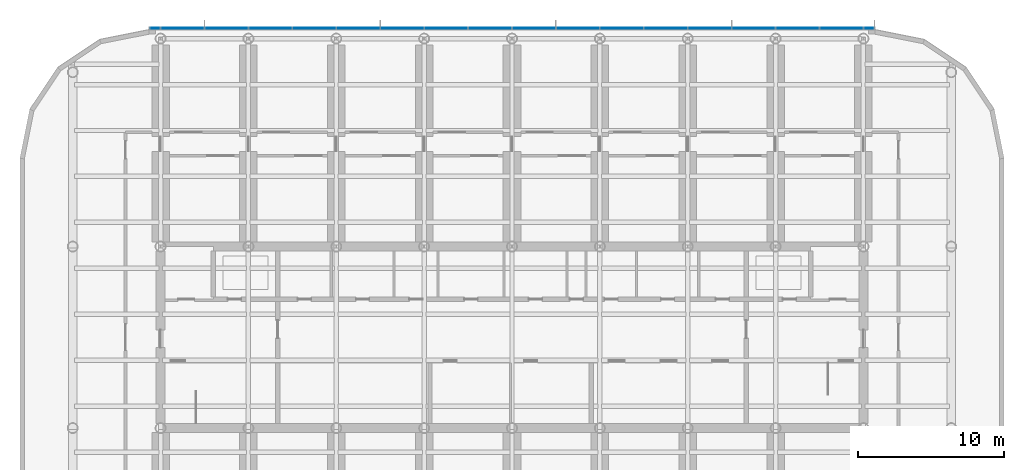
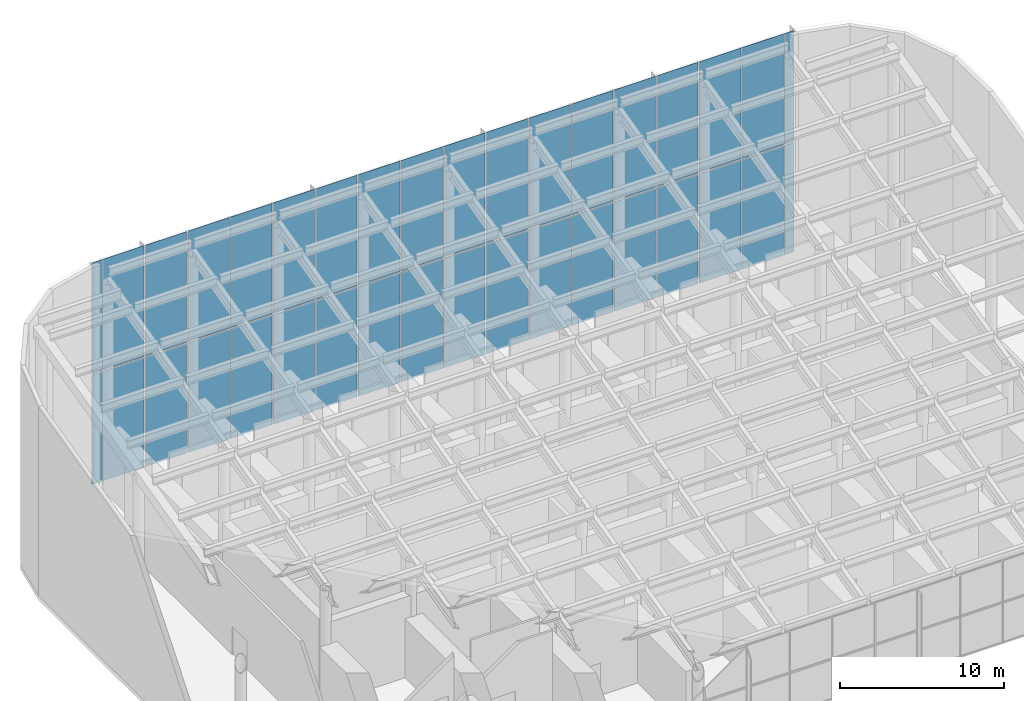
# One storey, part 8 of 14: 36 plates, 1 element without a shape of its own.
"""IFC4 building model written with IfcOpenShell, lengths in metres."""

from ifc_helpers import new_model, si_unit, direction, frame, origin, origin_2d, place, context, subcontext, project, spatial, rectangle, extrude, material, layer, layer_set, type_object, element, aggregate, save


model = new_model("IFC4")

# Units and contexts
model_context = context("Model", 3, precision=1e-05, world=origin(), true_north=direction((0.0, 1.0)))
body_context = subcontext(model_context, "Body", "Model", "MODEL_VIEW")
ifc_project = project(units=[si_unit("LENGTHUNIT", "METRE"), si_unit("AREAUNIT", "SQUARE_METRE"), si_unit("VOLUMEUNIT", "CUBIC_METRE"), si_unit("PLANEANGLEUNIT", "RADIAN"), si_unit("MASSUNIT", "GRAM", prefix="KILO")], contexts=[model_context])

# Site, building, storey
site_placement = place(None, origin())
site = spatial("IfcSite", under=ifc_project, at=site_placement, CompositionType="ELEMENT")
building_placement = place(site_placement, origin())
building = spatial("IfcBuilding", under=site, at=building_placement, Name="Orbita Commons", CompositionType="ELEMENT")
storey_placement = place(building_placement, frame((0.0, 0.0, 262.300048828125)))
storey = spatial("IfcBuildingStorey", under=building, at=storey_placement, Name="L65", CompositionType="ELEMENT", Elevation=262.300048828125)

# Curtain wall, plates
ifc_material_1 = material(Name="Anodised aluminium frame, pale silver", Category="aluminium")
curtain_wall_type = type_object("IfcCurtainWallType", Name="Crown curtain wall CW-C", PredefinedType="NOTDEFINED", material=ifc_material_1)
curtain_wall_placement = place(storey_placement, origin())
curtain_wall = element("IfcCurtainWall", 1, at=curtain_wall_placement, inside=storey, type_object=curtain_wall_type, Name="Curtain wall north L65", PredefinedType="NOTDEFINED")
ifc_material_2 = material(Name="Anodised aluminium sheet", Category="aluminium")
ifc_layer = layer(ifc_material_2, 0.050048828125)
ifc_layer_set = layer_set([ifc_layer], Name="Anodised aluminium sheet")
plate_type = type_object("IfcPlateType", Name="Spandrel panel, pale aluminium 50", PredefinedType="CURTAIN_PANEL", material=ifc_layer_set)
plate_1_placement = place(storey_placement, frame((66.3798828125, 53.110107421875, -0.2001953125), z_axis=(0.0, 0.0, 1.0), x_axis=(-1.0, 0.0, 0.0)))
plate_1 = element("IfcPlate", 2, at=plate_1_placement, type_object=plate_type, Name="Panel 1.1 CW-L65-N", PredefinedType="CURTAIN_PANEL", context=body_context, shape_type="SweptSolid", body=[
    extrude(rectangle(XDim=0.679931640625, YDim=0.050048828125, at=origin_2d()), origin(), (0.0, 0.0, 1.0), 8.135986328125),
])
plate_2_placement = place(storey_placement, frame((66.3798828125, 53.110107421875, 8.035888671875), z_axis=(0.0, 0.0, 1.0), x_axis=(-1.0, 0.0, 0.0)))
plate_2 = element("IfcPlate", 3, at=plate_2_placement, type_object=plate_type, Name="Panel 1.2 CW-L65-N", PredefinedType="CURTAIN_PANEL", context=body_context, shape_type="SweptSolid", body=[
    extrude(rectangle(XDim=0.679931640625, YDim=0.050048828125, at=origin_2d()), origin(), (0.0, 0.0, 1.0), 8.23583984375),
])
plate_3_placement = place(storey_placement, frame((64.5, 53.110107421875, -0.2001953125), z_axis=(0.0, 0.0, 1.0), x_axis=(-1.0, 0.0, 0.0)))
plate_3 = element("IfcPlate", 4, at=plate_3_placement, type_object=plate_type, Name="Panel 2.1 CW-L65-N", PredefinedType="CURTAIN_PANEL", context=body_context, shape_type="SweptSolid", body=[
    extrude(rectangle(XDim=2.919921875, YDim=0.050048828125, at=origin_2d()), origin(), (0.0, 0.0, 1.0), 8.135986328125),
])
plate_4_placement = place(storey_placement, frame((64.5, 53.110107421875, 8.035888671875), z_axis=(0.0, 0.0, 1.0), x_axis=(-1.0, 0.0, 0.0)))
plate_4 = element("IfcPlate", 5, at=plate_4_placement, type_object=plate_type, Name="Panel 2.2 CW-L65-N", PredefinedType="CURTAIN_PANEL", context=body_context, shape_type="SweptSolid", body=[
    extrude(rectangle(XDim=2.919921875, YDim=0.050048828125, at=origin_2d()), origin(), (0.0, 0.0, 1.0), 8.23583984375),
])
plate_5_placement = place(storey_placement, frame((61.5, 53.110107421875, -0.2001953125), z_axis=(0.0, 0.0, 1.0), x_axis=(-1.0, 0.0, 0.0)))
plate_5 = element("IfcPlate", 6, at=plate_5_placement, type_object=plate_type, Name="Panel 3.1 CW-L65-N", PredefinedType="CURTAIN_PANEL", context=body_context, shape_type="SweptSolid", body=[
    extrude(rectangle(XDim=2.919921875, YDim=0.050048828125, at=origin_2d()), origin(), (0.0, 0.0, 1.0), 8.135986328125),
])
plate_6_placement = place(storey_placement, frame((61.5, 53.110107421875, 8.035888671875), z_axis=(0.0, 0.0, 1.0), x_axis=(-1.0, 0.0, 0.0)))
plate_6 = element("IfcPlate", 7, at=plate_6_placement, type_object=plate_type, Name="Panel 3.2 CW-L65-N", PredefinedType="CURTAIN_PANEL", context=body_context, shape_type="SweptSolid", body=[
    extrude(rectangle(XDim=2.919921875, YDim=0.050048828125, at=origin_2d()), origin(), (0.0, 0.0, 1.0), 8.23583984375),
])
plate_7_placement = place(storey_placement, frame((58.5, 53.110107421875, -0.2001953125), z_axis=(0.0, 0.0, 1.0), x_axis=(-1.0, 0.0, 0.0)))
plate_7 = element("IfcPlate", 8, at=plate_7_placement, type_object=plate_type, Name="Panel 4.1 CW-L65-N", PredefinedType="CURTAIN_PANEL", context=body_context, shape_type="SweptSolid", body=[
    extrude(rectangle(XDim=2.919921875, YDim=0.050048828125, at=origin_2d()), origin(), (0.0, 0.0, 1.0), 8.135986328125),
])
plate_8_placement = place(storey_placement, frame((58.5, 53.110107421875, 8.035888671875), z_axis=(0.0, 0.0, 1.0), x_axis=(-1.0, 0.0, 0.0)))
plate_8 = element("IfcPlate", 9, at=plate_8_placement, type_object=plate_type, Name="Panel 4.2 CW-L65-N", PredefinedType="CURTAIN_PANEL", context=body_context, shape_type="SweptSolid", body=[
    extrude(rectangle(XDim=2.919921875, YDim=0.050048828125, at=origin_2d()), origin(), (0.0, 0.0, 1.0), 8.23583984375),
])
plate_9_placement = place(storey_placement, frame((55.5, 53.110107421875, -0.2001953125), z_axis=(0.0, 0.0, 1.0), x_axis=(-1.0, 0.0, 0.0)))
plate_9 = element("IfcPlate", 10, at=plate_9_placement, type_object=plate_type, Name="Panel 5.1 CW-L65-N", PredefinedType="CURTAIN_PANEL", context=body_context, shape_type="SweptSolid", body=[
    extrude(rectangle(XDim=2.919921875, YDim=0.050048828125, at=origin_2d()), origin(), (0.0, 0.0, 1.0), 8.135986328125),
])
plate_10_placement = place(storey_placement, frame((55.5, 53.110107421875, 8.035888671875), z_axis=(0.0, 0.0, 1.0), x_axis=(-1.0, 0.0, 0.0)))
plate_10 = element("IfcPlate", 11, at=plate_10_placement, type_object=plate_type, Name="Panel 5.2 CW-L65-N", PredefinedType="CURTAIN_PANEL", context=body_context, shape_type="SweptSolid", body=[
    extrude(rectangle(XDim=2.919921875, YDim=0.050048828125, at=origin_2d()), origin(), (0.0, 0.0, 1.0), 8.23583984375),
])
plate_11_placement = place(storey_placement, frame((52.5, 53.110107421875, -0.2001953125), z_axis=(0.0, 0.0, 1.0), x_axis=(-1.0, 0.0, 0.0)))
plate_11 = element("IfcPlate", 12, at=plate_11_placement, type_object=plate_type, Name="Panel 6.1 CW-L65-N", PredefinedType="CURTAIN_PANEL", context=body_context, shape_type="SweptSolid", body=[
    extrude(rectangle(XDim=2.919921875, YDim=0.050048828125, at=origin_2d()), origin(), (0.0, 0.0, 1.0), 8.135986328125),
])
plate_12_placement = place(storey_placement, frame((52.5, 53.110107421875, 8.035888671875), z_axis=(0.0, 0.0, 1.0), x_axis=(-1.0, 0.0, 0.0)))
plate_12 = element("IfcPlate", 13, at=plate_12_placement, type_object=plate_type, Name="Panel 6.2 CW-L65-N", PredefinedType="CURTAIN_PANEL", context=body_context, shape_type="SweptSolid", body=[
    extrude(rectangle(XDim=2.919921875, YDim=0.050048828125, at=origin_2d()), origin(), (0.0, 0.0, 1.0), 8.23583984375),
])
plate_13_placement = place(storey_placement, frame((49.5, 53.110107421875, -0.2001953125), z_axis=(0.0, 0.0, 1.0), x_axis=(-1.0, 0.0, 0.0)))
plate_13 = element("IfcPlate", 14, at=plate_13_placement, type_object=plate_type, Name="Panel 7.1 CW-L65-N", PredefinedType="CURTAIN_PANEL", context=body_context, shape_type="SweptSolid", body=[
    extrude(rectangle(XDim=2.919921875, YDim=0.050048828125, at=origin_2d()), origin(), (0.0, 0.0, 1.0), 8.135986328125),
])
plate_14_placement = place(storey_placement, frame((49.5, 53.110107421875, 8.035888671875), z_axis=(0.0, 0.0, 1.0), x_axis=(-1.0, 0.0, 0.0)))
plate_14 = element("IfcPlate", 15, at=plate_14_placement, type_object=plate_type, Name="Panel 7.2 CW-L65-N", PredefinedType="CURTAIN_PANEL", context=body_context, shape_type="SweptSolid", body=[
    extrude(rectangle(XDim=2.919921875, YDim=0.050048828125, at=origin_2d()), origin(), (0.0, 0.0, 1.0), 8.23583984375),
])
plate_15_placement = place(storey_placement, frame((46.5, 53.110107421875, -0.2001953125), z_axis=(0.0, 0.0, 1.0), x_axis=(-1.0, 0.0, 0.0)))
plate_15 = element("IfcPlate", 16, at=plate_15_placement, type_object=plate_type, Name="Panel 8.1 CW-L65-N", PredefinedType="CURTAIN_PANEL", context=body_context, shape_type="SweptSolid", body=[
    extrude(rectangle(XDim=2.919921875, YDim=0.050048828125, at=origin_2d()), origin(), (0.0, 0.0, 1.0), 8.135986328125),
])
plate_16_placement = place(storey_placement, frame((46.5, 53.110107421875, 8.035888671875), z_axis=(0.0, 0.0, 1.0), x_axis=(-1.0, 0.0, 0.0)))
plate_16 = element("IfcPlate", 17, at=plate_16_placement, type_object=plate_type, Name="Panel 8.2 CW-L65-N", PredefinedType="CURTAIN_PANEL", context=body_context, shape_type="SweptSolid", body=[
    extrude(rectangle(XDim=2.919921875, YDim=0.050048828125, at=origin_2d()), origin(), (0.0, 0.0, 1.0), 8.23583984375),
])
plate_17_placement = place(storey_placement, frame((43.5, 53.110107421875, -0.2001953125), z_axis=(0.0, 0.0, 1.0), x_axis=(-1.0, 0.0, 0.0)))
plate_17 = element("IfcPlate", 18, at=plate_17_placement, type_object=plate_type, Name="Panel 9.1 CW-L65-N", PredefinedType="CURTAIN_PANEL", context=body_context, shape_type="SweptSolid", body=[
    extrude(rectangle(XDim=2.919921875, YDim=0.050048828125, at=origin_2d()), origin(), (0.0, 0.0, 1.0), 8.135986328125),
])
plate_18_placement = place(storey_placement, frame((43.5, 53.110107421875, 8.035888671875), z_axis=(0.0, 0.0, 1.0), x_axis=(-1.0, 0.0, 0.0)))
plate_18 = element("IfcPlate", 19, at=plate_18_placement, type_object=plate_type, Name="Panel 9.2 CW-L65-N", PredefinedType="CURTAIN_PANEL", context=body_context, shape_type="SweptSolid", body=[
    extrude(rectangle(XDim=2.919921875, YDim=0.050048828125, at=origin_2d()), origin(), (0.0, 0.0, 1.0), 8.23583984375),
])
plate_19_placement = place(storey_placement, frame((40.5, 53.110107421875, -0.2001953125), z_axis=(0.0, 0.0, 1.0), x_axis=(-1.0, 0.0, 0.0)))
plate_19 = element("IfcPlate", 20, at=plate_19_placement, type_object=plate_type, Name="Panel 10.1 CW-L65-N", PredefinedType="CURTAIN_PANEL", context=body_context, shape_type="SweptSolid", body=[
    extrude(rectangle(XDim=2.919921875, YDim=0.050048828125, at=origin_2d()), origin(), (0.0, 0.0, 1.0), 8.135986328125),
])
plate_20_placement = place(storey_placement, frame((40.5, 53.110107421875, 8.035888671875), z_axis=(0.0, 0.0, 1.0), x_axis=(-1.0, 0.0, 0.0)))
plate_20 = element("IfcPlate", 21, at=plate_20_placement, type_object=plate_type, Name="Panel 10.2 CW-L65-N", PredefinedType="CURTAIN_PANEL", context=body_context, shape_type="SweptSolid", body=[
    extrude(rectangle(XDim=2.919921875, YDim=0.050048828125, at=origin_2d()), origin(), (0.0, 0.0, 1.0), 8.23583984375),
])
plate_21_placement = place(storey_placement, frame((37.5, 53.110107421875, -0.2001953125), z_axis=(0.0, 0.0, 1.0), x_axis=(-1.0, 0.0, 0.0)))
plate_21 = element("IfcPlate", 22, at=plate_21_placement, type_object=plate_type, Name="Panel 11.1 CW-L65-N", PredefinedType="CURTAIN_PANEL", context=body_context, shape_type="SweptSolid", body=[
    extrude(rectangle(XDim=2.919921875, YDim=0.050048828125, at=origin_2d()), origin(), (0.0, 0.0, 1.0), 8.135986328125),
])
plate_22_placement = place(storey_placement, frame((37.5, 53.110107421875, 8.035888671875), z_axis=(0.0, 0.0, 1.0), x_axis=(-1.0, 0.0, 0.0)))
plate_22 = element("IfcPlate", 23, at=plate_22_placement, type_object=plate_type, Name="Panel 11.2 CW-L65-N", PredefinedType="CURTAIN_PANEL", context=body_context, shape_type="SweptSolid", body=[
    extrude(rectangle(XDim=2.919921875, YDim=0.050048828125, at=origin_2d()), origin(), (0.0, 0.0, 1.0), 8.23583984375),
])
plate_23_placement = place(storey_placement, frame((34.5, 53.110107421875, -0.2001953125), z_axis=(0.0, 0.0, 1.0), x_axis=(-1.0, 0.0, 0.0)))
plate_23 = element("IfcPlate", 24, at=plate_23_placement, type_object=plate_type, Name="Panel 12.1 CW-L65-N", PredefinedType="CURTAIN_PANEL", context=body_context, shape_type="SweptSolid", body=[
    extrude(rectangle(XDim=2.919921875, YDim=0.050048828125, at=origin_2d()), origin(), (0.0, 0.0, 1.0), 8.135986328125),
])
plate_24_placement = place(storey_placement, frame((34.5, 53.110107421875, 8.035888671875), z_axis=(0.0, 0.0, 1.0), x_axis=(-1.0, 0.0, 0.0)))
plate_24 = element("IfcPlate", 25, at=plate_24_placement, type_object=plate_type, Name="Panel 12.2 CW-L65-N", PredefinedType="CURTAIN_PANEL", context=body_context, shape_type="SweptSolid", body=[
    extrude(rectangle(XDim=2.919921875, YDim=0.050048828125, at=origin_2d()), origin(), (0.0, 0.0, 1.0), 8.23583984375),
])
plate_25_placement = place(storey_placement, frame((31.5, 53.110107421875, -0.2001953125), z_axis=(0.0, 0.0, 1.0), x_axis=(-1.0, 0.0, 0.0)))
plate_25 = element("IfcPlate", 26, at=plate_25_placement, type_object=plate_type, Name="Panel 13.1 CW-L65-N", PredefinedType="CURTAIN_PANEL", context=body_context, shape_type="SweptSolid", body=[
    extrude(rectangle(XDim=2.919921875, YDim=0.050048828125, at=origin_2d()), origin(), (0.0, 0.0, 1.0), 8.135986328125),
])
plate_26_placement = place(storey_placement, frame((31.5, 53.110107421875, 8.035888671875), z_axis=(0.0, 0.0, 1.0), x_axis=(-1.0, 0.0, 0.0)))
plate_26 = element("IfcPlate", 27, at=plate_26_placement, type_object=plate_type, Name="Panel 13.2 CW-L65-N", PredefinedType="CURTAIN_PANEL", context=body_context, shape_type="SweptSolid", body=[
    extrude(rectangle(XDim=2.919921875, YDim=0.050048828125, at=origin_2d()), origin(), (0.0, 0.0, 1.0), 8.23583984375),
])
plate_27_placement = place(storey_placement, frame((28.5, 53.110107421875, -0.2001953125), z_axis=(0.0, 0.0, 1.0), x_axis=(-1.0, 0.0, 0.0)))
plate_27 = element("IfcPlate", 28, at=plate_27_placement, type_object=plate_type, Name="Panel 14.1 CW-L65-N", PredefinedType="CURTAIN_PANEL", context=body_context, shape_type="SweptSolid", body=[
    extrude(rectangle(XDim=2.919921875, YDim=0.050048828125, at=origin_2d()), origin(), (0.0, 0.0, 1.0), 8.135986328125),
])
plate_28_placement = place(storey_placement, frame((28.5, 53.110107421875, 8.035888671875), z_axis=(0.0, 0.0, 1.0), x_axis=(-1.0, 0.0, 0.0)))
plate_28 = element("IfcPlate", 29, at=plate_28_placement, type_object=plate_type, Name="Panel 14.2 CW-L65-N", PredefinedType="CURTAIN_PANEL", context=body_context, shape_type="SweptSolid", body=[
    extrude(rectangle(XDim=2.919921875, YDim=0.050048828125, at=origin_2d()), origin(), (0.0, 0.0, 1.0), 8.23583984375),
])
plate_29_placement = place(storey_placement, frame((25.5, 53.110107421875, -0.2001953125), z_axis=(0.0, 0.0, 1.0), x_axis=(-1.0, 0.0, 0.0)))
plate_29 = element("IfcPlate", 30, at=plate_29_placement, type_object=plate_type, Name="Panel 15.1 CW-L65-N", PredefinedType="CURTAIN_PANEL", context=body_context, shape_type="SweptSolid", body=[
    extrude(rectangle(XDim=2.919921875, YDim=0.050048828125, at=origin_2d()), origin(), (0.0, 0.0, 1.0), 8.135986328125),
])
plate_30_placement = place(storey_placement, frame((25.5, 53.110107421875, 8.035888671875), z_axis=(0.0, 0.0, 1.0), x_axis=(-1.0, 0.0, 0.0)))
plate_30 = element("IfcPlate", 31, at=plate_30_placement, type_object=plate_type, Name="Panel 15.2 CW-L65-N", PredefinedType="CURTAIN_PANEL", context=body_context, shape_type="SweptSolid", body=[
    extrude(rectangle(XDim=2.919921875, YDim=0.050048828125, at=origin_2d()), origin(), (0.0, 0.0, 1.0), 8.23583984375),
])
plate_31_placement = place(storey_placement, frame((22.5, 53.110107421875, -0.2001953125), z_axis=(0.0, 0.0, 1.0), x_axis=(-1.0, 0.0, 0.0)))
plate_31 = element("IfcPlate", 32, at=plate_31_placement, type_object=plate_type, Name="Panel 16.1 CW-L65-N", PredefinedType="CURTAIN_PANEL", context=body_context, shape_type="SweptSolid", body=[
    extrude(rectangle(XDim=2.919921875, YDim=0.050048828125, at=origin_2d()), origin(), (0.0, 0.0, 1.0), 8.135986328125),
])
plate_32_placement = place(storey_placement, frame((22.5, 53.110107421875, 8.035888671875), z_axis=(0.0, 0.0, 1.0), x_axis=(-1.0, 0.0, 0.0)))
plate_32 = element("IfcPlate", 33, at=plate_32_placement, type_object=plate_type, Name="Panel 16.2 CW-L65-N", PredefinedType="CURTAIN_PANEL", context=body_context, shape_type="SweptSolid", body=[
    extrude(rectangle(XDim=2.919921875, YDim=0.050048828125, at=origin_2d()), origin(), (0.0, 0.0, 1.0), 8.23583984375),
])
plate_33_placement = place(storey_placement, frame((19.5, 53.110107421875, -0.2001953125), z_axis=(0.0, 0.0, 1.0), x_axis=(-1.0, 0.0, 0.0)))
plate_33 = element("IfcPlate", 34, at=plate_33_placement, type_object=plate_type, Name="Panel 17.1 CW-L65-N", PredefinedType="CURTAIN_PANEL", context=body_context, shape_type="SweptSolid", body=[
    extrude(rectangle(XDim=2.919921875, YDim=0.050048828125, at=origin_2d()), origin(), (0.0, 0.0, 1.0), 8.135986328125),
])
plate_34_placement = place(storey_placement, frame((19.5, 53.110107421875, 8.035888671875), z_axis=(0.0, 0.0, 1.0), x_axis=(-1.0, 0.0, 0.0)))
plate_34 = element("IfcPlate", 35, at=plate_34_placement, type_object=plate_type, Name="Panel 17.2 CW-L65-N", PredefinedType="CURTAIN_PANEL", context=body_context, shape_type="SweptSolid", body=[
    extrude(rectangle(XDim=2.919921875, YDim=0.050048828125, at=origin_2d()), origin(), (0.0, 0.0, 1.0), 8.23583984375),
])
plate_35_placement = place(storey_placement, frame((17.6201171875, 53.110107421875, -0.2001953125), z_axis=(0.0, 0.0, 1.0), x_axis=(-1.0, 0.0, 0.0)))
plate_35 = element("IfcPlate", 36, at=plate_35_placement, type_object=plate_type, Name="Panel 18.1 CW-L65-N", PredefinedType="CURTAIN_PANEL", context=body_context, shape_type="SweptSolid", body=[
    extrude(rectangle(XDim=0.679931640625, YDim=0.050048828125, at=origin_2d()), origin(), (0.0, 0.0, 1.0), 8.135986328125),
])
plate_36_placement = place(storey_placement, frame((17.6201171875, 53.110107421875, 8.035888671875), z_axis=(0.0, 0.0, 1.0), x_axis=(-1.0, 0.0, 0.0)))
plate_36 = element("IfcPlate", 37, at=plate_36_placement, type_object=plate_type, Name="Panel 18.2 CW-L65-N", PredefinedType="CURTAIN_PANEL", context=body_context, shape_type="SweptSolid", body=[
    extrude(rectangle(XDim=0.679931640625, YDim=0.050048828125, at=origin_2d()), origin(), (0.0, 0.0, 1.0), 8.23583984375),
])
aggregate(curtain_wall, [plate_1, plate_2, plate_3, plate_4, plate_5, plate_6, plate_7, plate_8, plate_9, plate_10, plate_11, plate_12, plate_13, plate_14, plate_15, plate_16, plate_17, plate_18, plate_19, plate_20, plate_21, plate_22, plate_23, plate_24, plate_25, plate_26, plate_27, plate_28, plate_29, plate_30, plate_31, plate_32, plate_33, plate_34, plate_35, plate_36])

save(model, "model.ifc")
